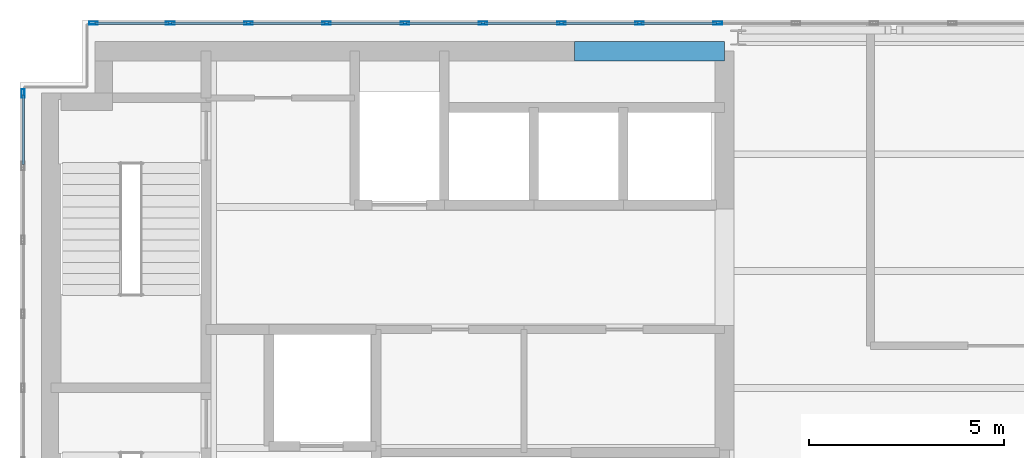
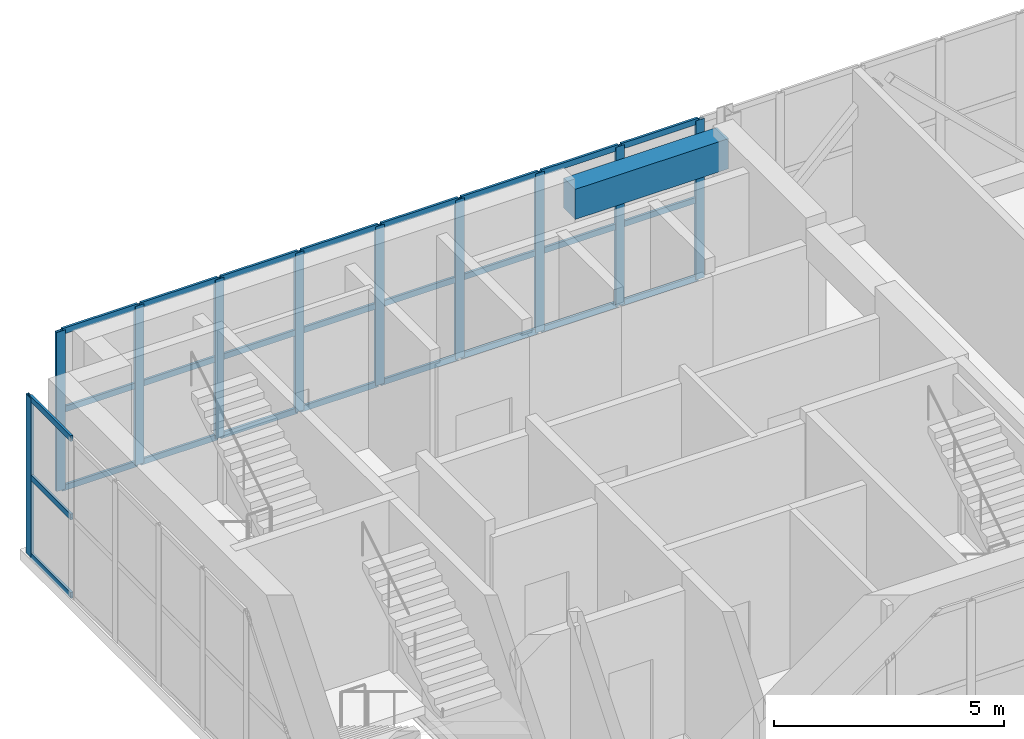
# One storey, part 10 of 21: 37 members, 1 beam, 2 elements without a shape of their own.
"""IFC4 building model written with IfcOpenShell, lengths in metres."""

from ifc_helpers import new_model, si_unit, direction, frame, origin, origin_2d, place, context, subcontext, project, spatial, rectangle, hollow_rectangle, extrude, material, layer, layer_set, material_profile, profile_set, type_object, element, aggregate, save


model = new_model("IFC4")

# Units and contexts
model_context = context("Model", 3, precision=1e-05, world=origin(), true_north=direction((0.0, 1.0)))
body_context = subcontext(model_context, "Body", "Model", "MODEL_VIEW")
ifc_project = project(units=[si_unit("LENGTHUNIT", "METRE"), si_unit("AREAUNIT", "SQUARE_METRE"), si_unit("VOLUMEUNIT", "CUBIC_METRE"), si_unit("PLANEANGLEUNIT", "RADIAN"), si_unit("MASSUNIT", "GRAM", prefix="KILO")], contexts=[model_context])

# Site, building, storey
site_placement = place(None, origin())
site = spatial("IfcSite", under=ifc_project, at=site_placement, CompositionType="ELEMENT")
building_placement = place(site_placement, origin())
building = spatial("IfcBuilding", under=site, at=building_placement, Name="Mawjdan Bourse Tower", CompositionType="ELEMENT")
storey_placement = place(building_placement, frame((0.0, 0.0, 313.199951171875)))
storey = spatial("IfcBuildingStorey", under=building, at=storey_placement, Name="L77", CompositionType="ELEMENT", Elevation=313.199951171875)

# Beam
ifc_material_1 = material(Name="Concrete C70/85", Category="concrete")
ifc_material_profile_1 = material_profile(ifc_material_1, rectangle(XDim=0.5, YDim=0.800048828125, at=origin_2d()), Name="RCB500X800")
ifc_profile_set_1 = profile_set([ifc_material_profile_1], Name="Concrete C70/85")
beam_type = type_object("IfcBeamType", Name="LNT-RCB500X800", PredefinedType="LINTEL", material=ifc_profile_set_1)
beam_placement = place(storey_placement, frame((19.800048828125, 20.64990234375, 3.820068359375), z_axis=(1.0, 0.0, 0.0), x_axis=(0.0, 1.0, 0.0)))
element("IfcBeam", 1, at=beam_placement, inside=storey, type_object=beam_type, Name="L77 Coupled Core Lintel CB-N1", PredefinedType="LINTEL", context=body_context, shape_type="SweptSolid", body=[
    extrude(rectangle(XDim=0.5, YDim=0.800048828125, at=origin_2d()), origin(), (0.0, 0.0, 1.0), 3.849853515625),
])

# Curtain wall, members
ifc_material_2 = material(Name="Thermally Broken Aluminium and Solar Glass", Category="aluminium")
ifc_layer = layer(ifc_material_2, 0.219970703125)
ifc_layer_set = layer_set([ifc_layer], Name="Thermally Broken Aluminium and Solar Glass")
curtain_wall_type = type_object("IfcCurtainWallType", Name="CW-CRN", PredefinedType="USERDEFINED", material=ifc_layer_set)
curtain_wall_1_placement = place(storey_placement, origin())
curtain_wall_1 = element("IfcCurtainWall", 2, at=curtain_wall_1_placement, inside=storey, type_object=curtain_wall_type, Name="L77 Lantern Crown North Curtain Wall", ObjectType="LANTERN GLAZED CROWN", PredefinedType="USERDEFINED")
ifc_material_3 = material(Name="Thermally Broken Anodised Aluminium", Category="aluminium")
ifc_material_profile_2 = material_profile(ifc_material_3, hollow_rectangle(XDim=0.074951171875, YDim=0.219970703125, WallThickness=0.0048828125, at=origin_2d()), Name="ALU-MUL-220X75")
ifc_profile_set_2 = profile_set([ifc_material_profile_2], Name="Thermally Broken Anodised Aluminium")
member_type_1 = type_object("IfcMemberType", Name="MUL-ALU-MUL-220X75", PredefinedType="MULLION", material=ifc_profile_set_2)
member_1_placement = place(storey_placement, frame((23.47607421875, 21.3701171875, 0.0), z_axis=(0.0, 0.0, 1.0), x_axis=(0.0, -1.0, 0.0)))
member_1 = element("IfcMember", 3, at=member_1_placement, type_object=member_type_1, Name="CW-CRN-L77-CRN-N mullion 14", PredefinedType="MULLION", context=body_context, shape_type="SweptSolid", body=[
    extrude(hollow_rectangle(XDim=0.074951171875, YDim=0.219970703125, WallThickness=0.0048828125, at=origin_2d()), origin(), (0.0, 0.0, 1.0), 4.219970703125),
])
member_2_placement = place(storey_placement, frame((21.466552734375, 21.3701171875, 0.0), z_axis=(0.0, 0.0, 1.0), x_axis=(0.0, -1.0, 0.0)))
member_2 = element("IfcMember", 4, at=member_2_placement, type_object=member_type_1, Name="CW-CRN-L77-CRN-N mullion 15", PredefinedType="MULLION", context=body_context, shape_type="SweptSolid", body=[
    extrude(hollow_rectangle(XDim=0.074951171875, YDim=0.219970703125, WallThickness=0.0048828125, at=origin_2d()), origin(), (0.0, 0.0, 1.0), 4.219970703125),
])
member_3_placement = place(storey_placement, frame((19.45703125, 21.3701171875, 0.0), z_axis=(0.0, 0.0, 1.0), x_axis=(0.0, -1.0, 0.0)))
member_3 = element("IfcMember", 5, at=member_3_placement, type_object=member_type_1, Name="CW-CRN-L77-CRN-N mullion 16", PredefinedType="MULLION", context=body_context, shape_type="SweptSolid", body=[
    extrude(hollow_rectangle(XDim=0.074951171875, YDim=0.219970703125, WallThickness=0.0048828125, at=origin_2d()), origin(), (0.0, 0.0, 1.0), 4.219970703125),
])
member_4_placement = place(storey_placement, frame((17.447509765625, 21.3701171875, 0.0), z_axis=(0.0, 0.0, 1.0), x_axis=(0.0, -1.0, 0.0)))
member_4 = element("IfcMember", 6, at=member_4_placement, type_object=member_type_1, Name="CW-CRN-L77-CRN-N mullion 17", PredefinedType="MULLION", context=body_context, shape_type="SweptSolid", body=[
    extrude(hollow_rectangle(XDim=0.074951171875, YDim=0.219970703125, WallThickness=0.0048828125, at=origin_2d()), origin(), (0.0, 0.0, 1.0), 4.219970703125),
])
member_5_placement = place(storey_placement, frame((15.43798828125, 21.3701171875, 0.0), z_axis=(0.0, 0.0, 1.0), x_axis=(0.0, -1.0, 0.0)))
member_5 = element("IfcMember", 7, at=member_5_placement, type_object=member_type_1, Name="CW-CRN-L77-CRN-N mullion 18", PredefinedType="MULLION", context=body_context, shape_type="SweptSolid", body=[
    extrude(hollow_rectangle(XDim=0.074951171875, YDim=0.219970703125, WallThickness=0.0048828125, at=origin_2d()), origin(), (0.0, 0.0, 1.0), 4.219970703125),
])
member_6_placement = place(storey_placement, frame((13.428466796875, 21.3701171875, 0.0), z_axis=(0.0, 0.0, 1.0), x_axis=(0.0, -1.0, 0.0)))
member_6 = element("IfcMember", 8, at=member_6_placement, type_object=member_type_1, Name="CW-CRN-L77-CRN-N mullion 19", PredefinedType="MULLION", context=body_context, shape_type="SweptSolid", body=[
    extrude(hollow_rectangle(XDim=0.074951171875, YDim=0.219970703125, WallThickness=0.0048828125, at=origin_2d()), origin(), (0.0, 0.0, 1.0), 4.219970703125),
])
member_7_placement = place(storey_placement, frame((11.4189453125, 21.3701171875, 0.0), z_axis=(0.0, 0.0, 1.0), x_axis=(0.0, -1.0, 0.0)))
member_7 = element("IfcMember", 9, at=member_7_placement, type_object=member_type_1, Name="CW-CRN-L77-CRN-N mullion 20", PredefinedType="MULLION", context=body_context, shape_type="SweptSolid", body=[
    extrude(hollow_rectangle(XDim=0.074951171875, YDim=0.219970703125, WallThickness=0.0048828125, at=origin_2d()), origin(), (0.0, 0.0, 1.0), 4.219970703125),
])
member_8_placement = place(storey_placement, frame((9.409423828125, 21.3701171875, 0.0), z_axis=(0.0, 0.0, 1.0), x_axis=(0.0, -1.0, 0.0)))
member_8 = element("IfcMember", 10, at=member_8_placement, type_object=member_type_1, Name="CW-CRN-L77-CRN-N mullion 21", PredefinedType="MULLION", context=body_context, shape_type="SweptSolid", body=[
    extrude(hollow_rectangle(XDim=0.074951171875, YDim=0.219970703125, WallThickness=0.0048828125, at=origin_2d()), origin(), (0.0, 0.0, 1.0), 4.219970703125),
])
member_9_placement = place(storey_placement, frame((7.4375, 21.3701171875, 0.0), z_axis=(0.0, 0.0, 1.0), x_axis=(0.0, -1.0, 0.0)))
member_9 = element("IfcMember", 11, at=member_9_placement, type_object=member_type_1, Name="CW-CRN-L77-CRN-N mullion 22", PredefinedType="MULLION", context=body_context, shape_type="SweptSolid", body=[
    extrude(hollow_rectangle(XDim=0.074951171875, YDim=0.219970703125, WallThickness=0.0048828125, at=origin_2d()), origin(), (0.0, 0.0, 1.0), 4.219970703125),
])

# Curtain wall, member
curtain_wall_2_placement = place(storey_placement, origin())
curtain_wall_2 = element("IfcCurtainWall", 12, at=curtain_wall_2_placement, inside=storey, type_object=curtain_wall_type, Name="L77 Lantern Crown West Curtain Wall", ObjectType="LANTERN GLAZED CROWN", PredefinedType="USERDEFINED")
member_10_placement = place(storey_placement, frame((5.6298828125, 19.5625, 0.0), z_axis=(0.0, 0.0, 1.0), x_axis=(1.0, 0.0, 0.0)))
member_10 = element("IfcMember", 13, at=member_10_placement, type_object=member_type_1, Name="CW-CRN-L77-CRN-W mullion 1", PredefinedType="MULLION", context=body_context, shape_type="SweptSolid", body=[
    extrude(hollow_rectangle(XDim=0.074951171875, YDim=0.219970703125, WallThickness=0.0048828125, at=origin_2d()), origin(), (0.0, 0.0, 1.0), 4.219970703125),
])

# Member
ifc_material_profile_3 = material_profile(ifc_material_3, hollow_rectangle(XDim=0.06005859375, YDim=0.155029296875, WallThickness=0.00390625, at=origin_2d()), Name="ALU-TRN-155X60")
ifc_profile_set_3 = profile_set([ifc_material_profile_3], Name="Thermally Broken Anodised Aluminium")
member_type_2 = type_object("IfcMemberType", Name="TRN-ALU-TRN-155X60", PredefinedType="USERDEFINED", material=ifc_profile_set_3)
member_11_placement = place(storey_placement, frame((23.438720703125, 21.3701171875, 0.030029296875), z_axis=(-1.0, 0.0, 0.0), x_axis=(0.0, -1.0, 0.0)))
member_11 = element("IfcMember", 14, at=member_11_placement, type_object=member_type_2, Name="CW-CRN-L77-CRN-N transom 14.1", ObjectType="TRANSOM", PredefinedType="USERDEFINED", context=body_context, shape_type="SweptSolid", body=[
    extrude(hollow_rectangle(XDim=0.06005859375, YDim=0.155029296875, WallThickness=0.00390625, at=origin_2d()), origin(), (0.0, 0.0, 1.0), 1.9345703125),
])

member_12_placement = place(storey_placement, frame((23.438720703125, 21.3701171875, 2.110107421875), z_axis=(-1.0, 0.0, 0.0), x_axis=(0.0, -1.0, 0.0)))
member_12 = element("IfcMember", 15, at=member_12_placement, type_object=member_type_2, Name="CW-CRN-L77-CRN-N transom 14.2", ObjectType="TRANSOM", PredefinedType="USERDEFINED", context=body_context, shape_type="SweptSolid", body=[
    extrude(hollow_rectangle(XDim=0.06005859375, YDim=0.155029296875, WallThickness=0.00390625, at=origin_2d()), origin(), (0.0, 0.0, 1.0), 1.9345703125),
])

member_13_placement = place(storey_placement, frame((23.438720703125, 21.3701171875, 4.18994140625), z_axis=(-1.0, 0.0, 0.0), x_axis=(0.0, -1.0, 0.0)))
member_13 = element("IfcMember", 16, at=member_13_placement, type_object=member_type_2, Name="CW-CRN-L77-CRN-N transom 14.3", ObjectType="TRANSOM", PredefinedType="USERDEFINED", context=body_context, shape_type="SweptSolid", body=[
    extrude(hollow_rectangle(XDim=0.06005859375, YDim=0.155029296875, WallThickness=0.00390625, at=origin_2d()), origin(), (0.0, 0.0, 1.0), 1.9345703125),
])

member_14_placement = place(storey_placement, frame((21.42919921875, 21.3701171875, 0.030029296875), z_axis=(-1.0, 0.0, 0.0), x_axis=(0.0, -1.0, 0.0)))
member_14 = element("IfcMember", 17, at=member_14_placement, type_object=member_type_2, Name="CW-CRN-L77-CRN-N transom 15.1", ObjectType="TRANSOM", PredefinedType="USERDEFINED", context=body_context, shape_type="SweptSolid", body=[
    extrude(hollow_rectangle(XDim=0.06005859375, YDim=0.155029296875, WallThickness=0.00390625, at=origin_2d()), origin(), (0.0, 0.0, 1.0), 1.9345703125),
])

member_15_placement = place(storey_placement, frame((21.42919921875, 21.3701171875, 2.110107421875), z_axis=(-1.0, 0.0, 0.0), x_axis=(0.0, -1.0, 0.0)))
member_15 = element("IfcMember", 18, at=member_15_placement, type_object=member_type_2, Name="CW-CRN-L77-CRN-N transom 15.2", ObjectType="TRANSOM", PredefinedType="USERDEFINED", context=body_context, shape_type="SweptSolid", body=[
    extrude(hollow_rectangle(XDim=0.06005859375, YDim=0.155029296875, WallThickness=0.00390625, at=origin_2d()), origin(), (0.0, 0.0, 1.0), 1.9345703125),
])

member_16_placement = place(storey_placement, frame((21.42919921875, 21.3701171875, 4.18994140625), z_axis=(-1.0, 0.0, 0.0), x_axis=(0.0, -1.0, 0.0)))
member_16 = element("IfcMember", 19, at=member_16_placement, type_object=member_type_2, Name="CW-CRN-L77-CRN-N transom 15.3", ObjectType="TRANSOM", PredefinedType="USERDEFINED", context=body_context, shape_type="SweptSolid", body=[
    extrude(hollow_rectangle(XDim=0.06005859375, YDim=0.155029296875, WallThickness=0.00390625, at=origin_2d()), origin(), (0.0, 0.0, 1.0), 1.9345703125),
])

member_17_placement = place(storey_placement, frame((19.419677734375, 21.3701171875, 0.030029296875), z_axis=(-1.0, 0.0, 0.0), x_axis=(0.0, -1.0, 0.0)))
member_17 = element("IfcMember", 20, at=member_17_placement, type_object=member_type_2, Name="CW-CRN-L77-CRN-N transom 16.1", ObjectType="TRANSOM", PredefinedType="USERDEFINED", context=body_context, shape_type="SweptSolid", body=[
    extrude(hollow_rectangle(XDim=0.06005859375, YDim=0.155029296875, WallThickness=0.00390625, at=origin_2d()), origin(), (0.0, 0.0, 1.0), 1.9345703125),
])

member_18_placement = place(storey_placement, frame((19.419677734375, 21.3701171875, 2.110107421875), z_axis=(-1.0, 0.0, 0.0), x_axis=(0.0, -1.0, 0.0)))
member_18 = element("IfcMember", 21, at=member_18_placement, type_object=member_type_2, Name="CW-CRN-L77-CRN-N transom 16.2", ObjectType="TRANSOM", PredefinedType="USERDEFINED", context=body_context, shape_type="SweptSolid", body=[
    extrude(hollow_rectangle(XDim=0.06005859375, YDim=0.155029296875, WallThickness=0.00390625, at=origin_2d()), origin(), (0.0, 0.0, 1.0), 1.9345703125),
])

member_19_placement = place(storey_placement, frame((19.419677734375, 21.3701171875, 4.18994140625), z_axis=(-1.0, 0.0, 0.0), x_axis=(0.0, -1.0, 0.0)))
member_19 = element("IfcMember", 22, at=member_19_placement, type_object=member_type_2, Name="CW-CRN-L77-CRN-N transom 16.3", ObjectType="TRANSOM", PredefinedType="USERDEFINED", context=body_context, shape_type="SweptSolid", body=[
    extrude(hollow_rectangle(XDim=0.06005859375, YDim=0.155029296875, WallThickness=0.00390625, at=origin_2d()), origin(), (0.0, 0.0, 1.0), 1.9345703125),
])

member_20_placement = place(storey_placement, frame((17.41015625, 21.3701171875, 0.030029296875), z_axis=(-1.0, 0.0, 0.0), x_axis=(0.0, -1.0, 0.0)))
member_20 = element("IfcMember", 23, at=member_20_placement, type_object=member_type_2, Name="CW-CRN-L77-CRN-N transom 17.1", ObjectType="TRANSOM", PredefinedType="USERDEFINED", context=body_context, shape_type="SweptSolid", body=[
    extrude(hollow_rectangle(XDim=0.06005859375, YDim=0.155029296875, WallThickness=0.00390625, at=origin_2d()), origin(), (0.0, 0.0, 1.0), 1.9345703125),
])

member_21_placement = place(storey_placement, frame((17.41015625, 21.3701171875, 2.110107421875), z_axis=(-1.0, 0.0, 0.0), x_axis=(0.0, -1.0, 0.0)))
member_21 = element("IfcMember", 24, at=member_21_placement, type_object=member_type_2, Name="CW-CRN-L77-CRN-N transom 17.2", ObjectType="TRANSOM", PredefinedType="USERDEFINED", context=body_context, shape_type="SweptSolid", body=[
    extrude(hollow_rectangle(XDim=0.06005859375, YDim=0.155029296875, WallThickness=0.00390625, at=origin_2d()), origin(), (0.0, 0.0, 1.0), 1.9345703125),
])

member_22_placement = place(storey_placement, frame((17.41015625, 21.3701171875, 4.18994140625), z_axis=(-1.0, 0.0, 0.0), x_axis=(0.0, -1.0, 0.0)))
member_22 = element("IfcMember", 25, at=member_22_placement, type_object=member_type_2, Name="CW-CRN-L77-CRN-N transom 17.3", ObjectType="TRANSOM", PredefinedType="USERDEFINED", context=body_context, shape_type="SweptSolid", body=[
    extrude(hollow_rectangle(XDim=0.06005859375, YDim=0.155029296875, WallThickness=0.00390625, at=origin_2d()), origin(), (0.0, 0.0, 1.0), 1.9345703125),
])

member_23_placement = place(storey_placement, frame((15.400634765625, 21.3701171875, 0.030029296875), z_axis=(-1.0, 0.0, 0.0), x_axis=(0.0, -1.0, 0.0)))
member_23 = element("IfcMember", 26, at=member_23_placement, type_object=member_type_2, Name="CW-CRN-L77-CRN-N transom 18.1", ObjectType="TRANSOM", PredefinedType="USERDEFINED", context=body_context, shape_type="SweptSolid", body=[
    extrude(hollow_rectangle(XDim=0.06005859375, YDim=0.155029296875, WallThickness=0.00390625, at=origin_2d()), origin(), (0.0, 0.0, 1.0), 1.9345703125),
])

member_24_placement = place(storey_placement, frame((15.400634765625, 21.3701171875, 2.110107421875), z_axis=(-1.0, 0.0, 0.0), x_axis=(0.0, -1.0, 0.0)))
member_24 = element("IfcMember", 27, at=member_24_placement, type_object=member_type_2, Name="CW-CRN-L77-CRN-N transom 18.2", ObjectType="TRANSOM", PredefinedType="USERDEFINED", context=body_context, shape_type="SweptSolid", body=[
    extrude(hollow_rectangle(XDim=0.06005859375, YDim=0.155029296875, WallThickness=0.00390625, at=origin_2d()), origin(), (0.0, 0.0, 1.0), 1.9345703125),
])

member_25_placement = place(storey_placement, frame((15.400634765625, 21.3701171875, 4.18994140625), z_axis=(-1.0, 0.0, 0.0), x_axis=(0.0, -1.0, 0.0)))
member_25 = element("IfcMember", 28, at=member_25_placement, type_object=member_type_2, Name="CW-CRN-L77-CRN-N transom 18.3", ObjectType="TRANSOM", PredefinedType="USERDEFINED", context=body_context, shape_type="SweptSolid", body=[
    extrude(hollow_rectangle(XDim=0.06005859375, YDim=0.155029296875, WallThickness=0.00390625, at=origin_2d()), origin(), (0.0, 0.0, 1.0), 1.9345703125),
])

member_26_placement = place(storey_placement, frame((13.39111328125, 21.3701171875, 0.030029296875), z_axis=(-1.0, 0.0, 0.0), x_axis=(0.0, -1.0, 0.0)))
member_26 = element("IfcMember", 29, at=member_26_placement, type_object=member_type_2, Name="CW-CRN-L77-CRN-N transom 19.1", ObjectType="TRANSOM", PredefinedType="USERDEFINED", context=body_context, shape_type="SweptSolid", body=[
    extrude(hollow_rectangle(XDim=0.06005859375, YDim=0.155029296875, WallThickness=0.00390625, at=origin_2d()), origin(), (0.0, 0.0, 1.0), 1.9345703125),
])

member_27_placement = place(storey_placement, frame((13.39111328125, 21.3701171875, 2.110107421875), z_axis=(-1.0, 0.0, 0.0), x_axis=(0.0, -1.0, 0.0)))
member_27 = element("IfcMember", 30, at=member_27_placement, type_object=member_type_2, Name="CW-CRN-L77-CRN-N transom 19.2", ObjectType="TRANSOM", PredefinedType="USERDEFINED", context=body_context, shape_type="SweptSolid", body=[
    extrude(hollow_rectangle(XDim=0.06005859375, YDim=0.155029296875, WallThickness=0.00390625, at=origin_2d()), origin(), (0.0, 0.0, 1.0), 1.9345703125),
])

member_28_placement = place(storey_placement, frame((13.39111328125, 21.3701171875, 4.18994140625), z_axis=(-1.0, 0.0, 0.0), x_axis=(0.0, -1.0, 0.0)))
member_28 = element("IfcMember", 31, at=member_28_placement, type_object=member_type_2, Name="CW-CRN-L77-CRN-N transom 19.3", ObjectType="TRANSOM", PredefinedType="USERDEFINED", context=body_context, shape_type="SweptSolid", body=[
    extrude(hollow_rectangle(XDim=0.06005859375, YDim=0.155029296875, WallThickness=0.00390625, at=origin_2d()), origin(), (0.0, 0.0, 1.0), 1.9345703125),
])

member_29_placement = place(storey_placement, frame((11.381591796875, 21.3701171875, 0.030029296875), z_axis=(-1.0, 0.0, 0.0), x_axis=(0.0, -1.0, 0.0)))
member_29 = element("IfcMember", 32, at=member_29_placement, type_object=member_type_2, Name="CW-CRN-L77-CRN-N transom 20.1", ObjectType="TRANSOM", PredefinedType="USERDEFINED", context=body_context, shape_type="SweptSolid", body=[
    extrude(hollow_rectangle(XDim=0.06005859375, YDim=0.155029296875, WallThickness=0.00390625, at=origin_2d()), origin(), (0.0, 0.0, 1.0), 1.9345703125),
])

member_30_placement = place(storey_placement, frame((11.381591796875, 21.3701171875, 2.110107421875), z_axis=(-1.0, 0.0, 0.0), x_axis=(0.0, -1.0, 0.0)))
member_30 = element("IfcMember", 33, at=member_30_placement, type_object=member_type_2, Name="CW-CRN-L77-CRN-N transom 20.2", ObjectType="TRANSOM", PredefinedType="USERDEFINED", context=body_context, shape_type="SweptSolid", body=[
    extrude(hollow_rectangle(XDim=0.06005859375, YDim=0.155029296875, WallThickness=0.00390625, at=origin_2d()), origin(), (0.0, 0.0, 1.0), 1.9345703125),
])

member_31_placement = place(storey_placement, frame((11.381591796875, 21.3701171875, 4.18994140625), z_axis=(-1.0, 0.0, 0.0), x_axis=(0.0, -1.0, 0.0)))
member_31 = element("IfcMember", 34, at=member_31_placement, type_object=member_type_2, Name="CW-CRN-L77-CRN-N transom 20.3", ObjectType="TRANSOM", PredefinedType="USERDEFINED", context=body_context, shape_type="SweptSolid", body=[
    extrude(hollow_rectangle(XDim=0.06005859375, YDim=0.155029296875, WallThickness=0.00390625, at=origin_2d()), origin(), (0.0, 0.0, 1.0), 1.9345703125),
])

member_32_placement = place(storey_placement, frame((9.3720703125, 21.3701171875, 0.030029296875), z_axis=(-1.0, 0.0, 0.0), x_axis=(0.0, -1.0, 0.0)))
member_32 = element("IfcMember", 35, at=member_32_placement, type_object=member_type_2, Name="CW-CRN-L77-CRN-N transom 21.1", ObjectType="TRANSOM", PredefinedType="USERDEFINED", context=body_context, shape_type="SweptSolid", body=[
    extrude(hollow_rectangle(XDim=0.06005859375, YDim=0.155029296875, WallThickness=0.00390625, at=origin_2d()), origin(), (0.0, 0.0, 1.0), 1.89697265625),
])

member_33_placement = place(storey_placement, frame((9.3720703125, 21.3701171875, 2.110107421875), z_axis=(-1.0, 0.0, 0.0), x_axis=(0.0, -1.0, 0.0)))
member_33 = element("IfcMember", 36, at=member_33_placement, type_object=member_type_2, Name="CW-CRN-L77-CRN-N transom 21.2", ObjectType="TRANSOM", PredefinedType="USERDEFINED", context=body_context, shape_type="SweptSolid", body=[
    extrude(hollow_rectangle(XDim=0.06005859375, YDim=0.155029296875, WallThickness=0.00390625, at=origin_2d()), origin(), (0.0, 0.0, 1.0), 1.89697265625),
])

member_34_placement = place(storey_placement, frame((9.3720703125, 21.3701171875, 4.18994140625), z_axis=(-1.0, 0.0, 0.0), x_axis=(0.0, -1.0, 0.0)))
member_34 = element("IfcMember", 37, at=member_34_placement, type_object=member_type_2, Name="CW-CRN-L77-CRN-N transom 21.3", ObjectType="TRANSOM", PredefinedType="USERDEFINED", context=body_context, shape_type="SweptSolid", body=[
    extrude(hollow_rectangle(XDim=0.06005859375, YDim=0.155029296875, WallThickness=0.00390625, at=origin_2d()), origin(), (0.0, 0.0, 1.0), 1.89697265625),
])

aggregate(curtain_wall_1, [member_1, member_2, member_3, member_4, member_5, member_6, member_7, member_8, member_9, member_11, member_12, member_13, member_14, member_15, member_16, member_17, member_18, member_19, member_20, member_21, member_22, member_23, member_24, member_25, member_26, member_27, member_28, member_29, member_30, member_31, member_32, member_33, member_34])

member_35_placement = place(storey_placement, frame((5.6298828125, 19.52490234375, 0.030029296875), z_axis=(0.0, -1.0, 0.0), x_axis=(1.0, 0.0, 0.0)))
member_35 = element("IfcMember", 38, at=member_35_placement, type_object=member_type_2, Name="CW-CRN-L77-CRN-W transom 1.1", ObjectType="TRANSOM", PredefinedType="USERDEFINED", context=body_context, shape_type="SweptSolid", body=[
    extrude(hollow_rectangle(XDim=0.06005859375, YDim=0.155029296875, WallThickness=0.00390625, at=origin_2d()), origin(), (0.0, 0.0, 1.0), 1.787353515625),
])

member_36_placement = place(storey_placement, frame((5.6298828125, 19.52490234375, 2.110107421875), z_axis=(0.0, -1.0, 0.0), x_axis=(1.0, 0.0, 0.0)))
member_36 = element("IfcMember", 39, at=member_36_placement, type_object=member_type_2, Name="CW-CRN-L77-CRN-W transom 1.2", ObjectType="TRANSOM", PredefinedType="USERDEFINED", context=body_context, shape_type="SweptSolid", body=[
    extrude(hollow_rectangle(XDim=0.06005859375, YDim=0.155029296875, WallThickness=0.00390625, at=origin_2d()), origin(), (0.0, 0.0, 1.0), 1.787353515625),
])

member_37_placement = place(storey_placement, frame((5.6298828125, 19.52490234375, 4.18994140625), z_axis=(0.0, -1.0, 0.0), x_axis=(1.0, 0.0, 0.0)))
member_37 = element("IfcMember", 40, at=member_37_placement, type_object=member_type_2, Name="CW-CRN-L77-CRN-W transom 1.3", ObjectType="TRANSOM", PredefinedType="USERDEFINED", context=body_context, shape_type="SweptSolid", body=[
    extrude(hollow_rectangle(XDim=0.06005859375, YDim=0.155029296875, WallThickness=0.00390625, at=origin_2d()), origin(), (0.0, 0.0, 1.0), 1.787353515625),
])

aggregate(curtain_wall_2, [member_10, member_35, member_36, member_37])

save(model, "model.ifc")
